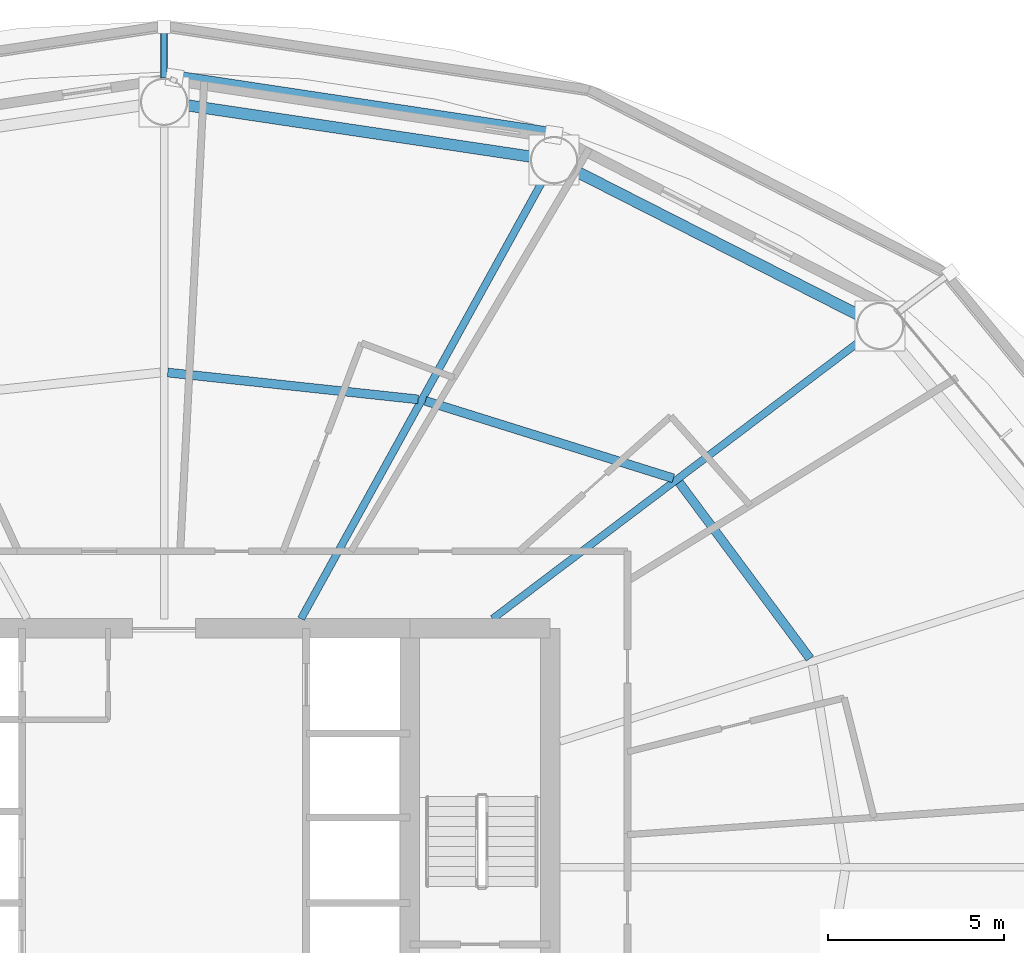
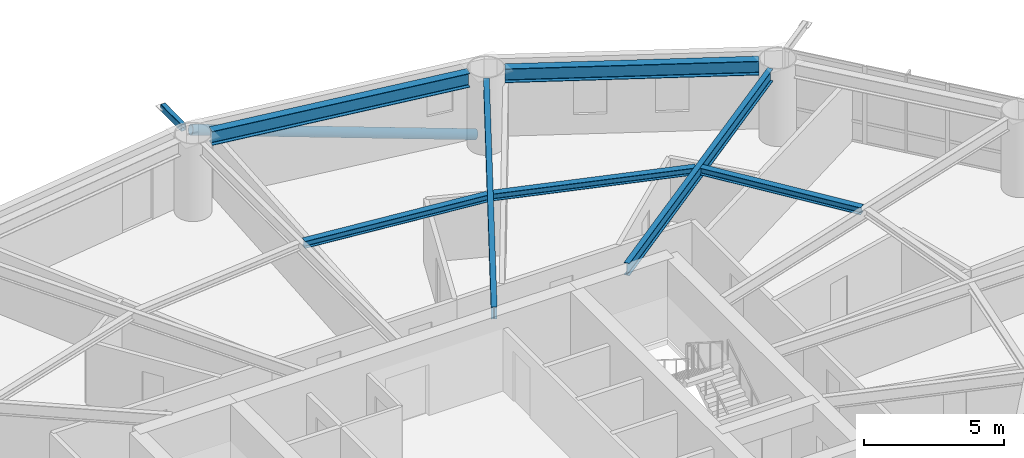
# One storey, part 11 of 25: 7 beams, 2 members.
"""IFC4 building model written with IfcOpenShell, lengths in metres."""

from ifc_helpers import new_model, si_unit, direction, frame, origin, origin_2d, place, context, subcontext, project, spatial, hollow_rectangle, hollow_circle, i_section, extrude, material, material_profile, profile_set, type_object, element, save


model = new_model("IFC4")

# Units and contexts
model_context = context("Model", 3, precision=1e-05, world=origin(), true_north=direction((0.0, 1.0)))
body_context = subcontext(model_context, "Body", "Model", "MODEL_VIEW")
ifc_project = project(units=[si_unit("LENGTHUNIT", "METRE"), si_unit("AREAUNIT", "SQUARE_METRE"), si_unit("VOLUMEUNIT", "CUBIC_METRE"), si_unit("PLANEANGLEUNIT", "RADIAN"), si_unit("MASSUNIT", "GRAM", prefix="KILO")], contexts=[model_context])

# Site, building, storey
site_placement = place(None, origin())
site = spatial("IfcSite", under=ifc_project, at=site_placement, CompositionType="ELEMENT")
building_placement = place(site_placement, origin())
building = spatial("IfcBuilding", under=site, at=building_placement, Name="Sarneth Arch Tower", CompositionType="ELEMENT")
storey_placement = place(building_placement, frame((0.0, 0.0, 84.0)))
storey = spatial("IfcBuildingStorey", under=building, at=storey_placement, Name="L20", CompositionType="ELEMENT", Elevation=84.0)

# Beams
ifc_material_1 = material(Name="Steel S355", Category="steel")
ifc_material_profile_1 = material_profile(ifc_material_1, i_section(OverallWidth=0.25390625, OverallDepth=0.305908203125, WebThickness=0.0087890625, FlangeThickness=0.0146484375, FilletRadius=0.014892578125, at=origin_2d()), Name="W310x79")
ifc_profile_set_1 = profile_set([ifc_material_profile_1], Name="Steel S355")
beam_type_1 = type_object("IfcBeamType", Name="BM-JOIST-310A", PredefinedType="JOIST", material=ifc_profile_set_1)
beam_1_placement = place(storey_placement, frame((66.3984375, 47.942626953125, 3.22705078125), z_axis=(-0.596354224217, 0.80272139579, 0.0), x_axis=(-0.80272139579, -0.596354224217, 0.0)))
element("IfcBeam", 1, at=beam_1_placement, inside=storey, type_object=beam_type_1, Name="L20 Secondary floor joist 02", PredefinedType="JOIST", context=body_context, shape_type="SweptSolid", body=[
    extrude(i_section(OverallWidth=0.25390625, OverallDepth=0.305908203125, WebThickness=0.0087890625, FlangeThickness=0.0146484375, FilletRadius=0.014892578125, at=origin_2d()), origin(), (0.0, 0.0, 1.0), 6.246337890625),
])
beam_2_placement = place(storey_placement, frame((62.509765625, 53.072998046875, 3.22705078125), z_axis=(-0.9544870201, 0.298252457594, 0.0), x_axis=(-0.298252457594, -0.9544870201, 0.0)))
element("IfcBeam", 2, at=beam_2_placement, inside=storey, type_object=beam_type_1, Name="L20 Secondary floor joist 03", PredefinedType="JOIST", context=body_context, shape_type="SweptSolid", body=[
    extrude(i_section(OverallWidth=0.25390625, OverallDepth=0.305908203125, WebThickness=0.0087890625, FlangeThickness=0.0146484375, FilletRadius=0.014892578125, at=origin_2d()), origin(), (0.0, 0.0, 1.0), 7.40234375),
])
beam_3_placement = place(storey_placement, frame((55.238525390625, 55.323486328125, 3.22705078125), z_axis=(-0.99429330851, 0.106680910441, 0.0), x_axis=(-0.106680910441, -0.99429330851, 0.0)))
element("IfcBeam", 3, at=beam_3_placement, inside=storey, type_object=beam_type_1, Name="L20 Secondary floor joist 04", PredefinedType="JOIST", context=body_context, shape_type="SweptSolid", body=[
    extrude(i_section(OverallWidth=0.25390625, OverallDepth=0.305908203125, WebThickness=0.0087890625, FlangeThickness=0.0146484375, FilletRadius=0.014892578125, at=origin_2d()), origin(), (0.0, 0.0, 1.0), 7.174560546875),
])
ifc_material_2 = material(Name="Steel S355", Category="steel")
ifc_material_profile_2 = material_profile(ifc_material_2, i_section(OverallWidth=0.2109375, OverallDepth=0.5390625, WebThickness=0.01171875, FlangeThickness=0.018798828125, FilletRadius=0.01806640625, at=origin_2d()), Name="W530x109")
ifc_profile_set_2 = profile_set([ifc_material_profile_2], Name="Steel S355")
beam_type_2 = type_object("IfcBeamType", Name="BM-RAD-530B", PredefinedType="BEAM", material=ifc_profile_set_2)
beam_4_placement = place(storey_placement, frame((57.36181640625, 49.074951171875, 3.110595703125), z_axis=(0.797801476102, 0.602920230818, 0.0), x_axis=(-0.602920230818, 0.797801476102, 0.0)))
element("IfcBeam", 4, at=beam_4_placement, inside=storey, type_object=beam_type_2, Name="L20 Radial floor girder 03", PredefinedType="BEAM", context=body_context, shape_type="SweptSolid", body=[
    extrude(i_section(OverallWidth=0.2109375, OverallDepth=0.5390625, WebThickness=0.01171875, FlangeThickness=0.018798828125, FilletRadius=0.01806640625, at=origin_2d()), origin(), (0.0, 0.0, 1.0), 13.15771484375),
])
beam_5_placement = place(storey_placement, frame((51.90283203125, 49.074951171875, 3.110595703125), z_axis=(0.48301301286, 0.875613173387, 0.0), x_axis=(-0.875613173387, 0.48301301286, 0.0)))
element("IfcBeam", 5, at=beam_5_placement, inside=storey, type_object=beam_type_2, Name="L20 Radial floor girder 04", PredefinedType="BEAM", context=body_context, shape_type="SweptSolid", body=[
    extrude(i_section(OverallWidth=0.2109375, OverallDepth=0.5390625, WebThickness=0.01171875, FlangeThickness=0.018798828125, FilletRadius=0.01806640625, at=origin_2d()), origin(), (0.0, 0.0, 1.0), 14.246826171875),
])
ifc_material_3 = material(Name="Steel S355", Category="steel")
ifc_material_profile_3 = material_profile(ifc_material_3, i_section(OverallWidth=0.323974609375, OverallDepth=0.611083984375, WebThickness=0.0126953125, FlangeThickness=0.01904296875, FilletRadius=0.01904296875, at=origin_2d()), Name="W610x155")
ifc_profile_set_3 = profile_set([ifc_material_profile_3], Name="Steel S355")
beam_type_3 = type_object("IfcBeamType", Name="BM-SPAN-610B", PredefinedType="SPANDREL", material=ifc_profile_set_3)
beam_6_placement = place(storey_placement, frame((67.796142578125, 57.720947265625, 3.074462890625), z_axis=(-0.891255891792, 0.453500755619, 0.0), x_axis=(-0.453500755619, -0.891255891792, 0.0)))
element("IfcBeam", 6, at=beam_6_placement, inside=storey, type_object=beam_type_3, Name="L20 Perimeter spandrel beam 03", PredefinedType="SPANDREL", context=body_context, shape_type="SweptSolid", body=[
    extrude(i_section(OverallWidth=0.323974609375, OverallDepth=0.611083984375, WebThickness=0.0126953125, FlangeThickness=0.01904296875, FilletRadius=0.01904296875, at=origin_2d()), origin(), (0.0, 0.0, 1.0), 9.070556640625),
])
beam_7_placement = place(storey_placement, frame((58.442626953125, 62.240234375, 3.074462890625), z_axis=(-0.989029828744, 0.147715936359, 0.0), x_axis=(-0.147715936359, -0.989029828744, 0.0)))
element("IfcBeam", 7, at=beam_7_placement, inside=storey, type_object=beam_type_3, Name="L20 Perimeter spandrel beam 04", PredefinedType="SPANDREL", context=body_context, shape_type="SweptSolid", body=[
    extrude(i_section(OverallWidth=0.323974609375, OverallDepth=0.611083984375, WebThickness=0.0126953125, FlangeThickness=0.01904296875, FilletRadius=0.01904296875, at=origin_2d()), origin(), (0.0, 0.0, 1.0), 9.883544921875),
])

# Members
ifc_material_4 = material(Name="Steel S355", Category="steel")
ifc_material_profile_4 = material_profile(ifc_material_4, hollow_rectangle(XDim=0.199951171875, YDim=0.300048828125, WallThickness=0.012451171875, InnerFilletRadius=0.018798828125, OuterFilletRadius=0.03125, at=origin_2d()), Name="RHS300x200x12.5")
ifc_profile_set_4 = profile_set([ifc_material_profile_4], Name="Steel S355")
member_type_1 = type_object("IfcMemberType", Name="MEM-CANT-STRUT", PredefinedType="STRUT", material=ifc_profile_set_4)
member_1_placement = place(storey_placement, frame((48.0, 64.47509765625, 3.219970703125), z_axis=(0.0, 1.0, 0.0), x_axis=(-1.0, 0.0, 0.0)))
element("IfcMember", 8, at=member_1_placement, inside=storey, type_object=member_type_1, Name="L20 Balcony cantilever bracket 05", PredefinedType="STRUT", context=body_context, shape_type="SweptSolid", body=[
    extrude(hollow_rectangle(XDim=0.199951171875, YDim=0.300048828125, WallThickness=0.012451171875, InnerFilletRadius=0.018798828125, OuterFilletRadius=0.03125, at=origin_2d()), origin(), (0.0, 0.0, 1.0), 1.466796875),
])
ifc_material_5 = material(Name="Steel S355", Category="steel")
ifc_material_profile_5 = material_profile(ifc_material_5, hollow_circle(Radius=0.202880859375, WallThickness=0.01611328125, at=origin_2d()), Name="CHS406x16")
ifc_profile_set_5 = profile_set([ifc_material_profile_5], Name="Steel S355")
member_type_2 = type_object("IfcMemberType", Name="MEM-DIAG-BR2", PredefinedType="BRACE", material=ifc_profile_set_5)
member_2_placement = place(storey_placement, frame((59.0927734375, 62.859619140625, 0.02001953125), z_axis=(-0.953656635145, 0.143605968509, 0.264416996529), x_axis=(-0.148905755657, -0.988851392239, 0.0)))
element("IfcMember", 9, at=member_2_placement, inside=storey, type_object=member_type_2, Name="L20 Perimeter frame diagonal 04", PredefinedType="BRACE", context=body_context, shape_type="SweptSolid", body=[
    extrude(hollow_circle(Radius=0.202880859375, WallThickness=0.01611328125, at=origin_2d()), origin(), (0.0, 0.0, 1.0), 11.32080078125),
])

save(model, "model.ifc")
